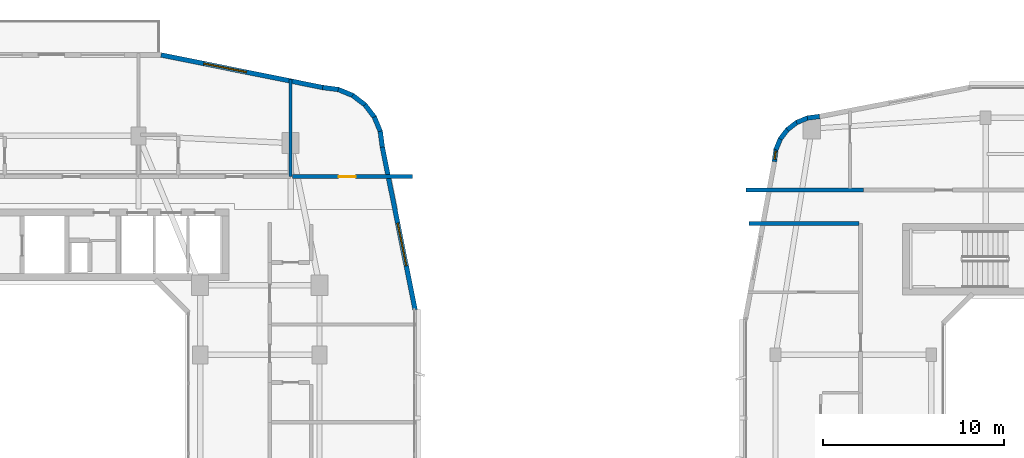
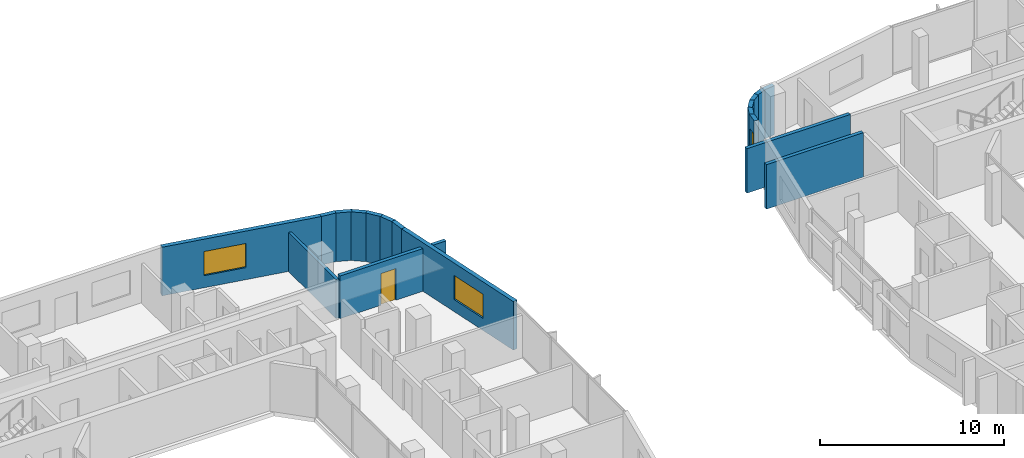
# One storey, part 16 of 26: 18 walls, 3 windows, 1 door, 4 openings.
"""IFC4 building model written with IfcOpenShell, lengths in metres."""

from ifc_helpers import new_model, si_unit, derived_unit, direction, frame, frame_2d, origin, place, context, subcontext, project, spatial, rectangle, extrude, material, layer, layer_set, type_object, element, fill, save


model = new_model("IFC4")

# Units and contexts
model_context = context("Model", 3, precision=1e-05, world=origin(), true_north=direction((0.0, 1.0)))
body_context = subcontext(model_context, "Body", "Model", "MODEL_VIEW")
ifc_project = project(units=[si_unit("LENGTHUNIT", "METRE"), si_unit("AREAUNIT", "SQUARE_METRE"), si_unit("VOLUMEUNIT", "CUBIC_METRE"), si_unit("PLANEANGLEUNIT", "RADIAN"), si_unit("MASSUNIT", "GRAM", prefix="KILO"), derived_unit("THERMALTRANSMITTANCEUNIT", [(si_unit("POWERUNIT", "WATT"), 1), (si_unit("LENGTHUNIT", "METRE"), -2), (si_unit("THERMODYNAMICTEMPERATUREUNIT", "KELVIN"), -1)])], contexts=[model_context])

# Site, building, storey
site_placement = place(None, origin())
site = spatial("IfcSite", under=ifc_project, at=site_placement, CompositionType="ELEMENT")
building_placement = place(site_placement, origin())
building = spatial("IfcBuilding", under=site, at=building_placement, Name="Kivonza Crest Hotel", CompositionType="ELEMENT")
storey_placement = place(building_placement, frame((0.0, 0.0, 95.0)))
storey = spatial("IfcBuildingStorey", under=building, at=storey_placement, Name="L25", CompositionType="ELEMENT", Elevation=95.0)

# Wall
ifc_material_1 = material(Name="High-density acoustic masonry inter-tenancy wall", Category="masonry")
ifc_layer_1 = layer(ifc_material_1, 0.179931640625)
ifc_layer_set_1 = layer_set([ifc_layer_1], Name="High-density acoustic masonry inter-tenancy wall")
wall_type_1 = type_object("IfcWallType", Name="WL-ACOU-180", PredefinedType="SOLIDWALL", material=ifc_layer_set_1)
wall_1_placement = place(storey_placement, frame((34.199951171875, 38.35009765625, 0.0), z_axis=(0.0, 0.0, 1.0), x_axis=(0.0, 1.0, 0.0)))
element("IfcWall", 1, at=wall_1_placement, inside=storey, type_object=wall_type_1, Name="L25 interior partition WA-L25-T1N-DIV4", PredefinedType="SOLIDWALL", context=body_context, shape_type="SweptSolid", body=[
    extrude(rectangle(XDim=5.350830078125, YDim=0.179931640625, at=frame_2d((2.67529296875, 0.0))), origin(), (0.0, 0.0, 1.0), 2.594970703125),
])

# Wall, opening, door
ifc_material_2 = material(Name="Autoclaved aerated concrete blockwork", Category="masonry")
ifc_layer_2 = layer(ifc_material_2, 0.219970703125)
ifc_layer_set_2 = layer_set([ifc_layer_2], Name="Autoclaved aerated concrete blockwork")
wall_type_2 = type_object("IfcWallType", Name="WL-ACOU-220", PredefinedType="SOLIDWALL", material=ifc_layer_set_2)
wall_2_placement = place(storey_placement, frame((34.300048828125, 38.35009765625, 0.0), z_axis=(0.0, 0.0, 1.0), x_axis=(1.0, 0.0, 0.0)))
wall_2 = element("IfcWall", 2, at=wall_2_placement, inside=storey, type_object=wall_type_2, Name="L25 interior partition WA-L25-N-AMEN-S", PredefinedType="SOLIDWALL", context=body_context, shape_type="SweptSolid", body=[
    extrude(rectangle(XDim=6.639892578125, YDim=0.219970703125, at=frame_2d((3.31982421875, 0.0))), origin(), (0.0, 0.0, 1.0), 2.8349609375),
])
opening_1_placement = place(wall_2_placement, frame((2.550048828125, 0.0, 0.0)))
opening_1 = element("IfcOpeningElement", 3, at=opening_1_placement, cuts=wall_2, Name="Opening DF-60S", PredefinedType="OPENING", context=body_context, shape_type="SweptSolid", body=[
    extrude(rectangle(XDim=0.949951171875, YDim=2.10009765625, at=frame_2d((0.47509765625, 1.050048828125))), frame((0.0, 0.1201171875, 0.0), z_axis=(0.0, -1.0, 0.0), x_axis=(1.0, 0.0, 0.0)), (0.0, 0.0, 1.0), 0.239990234375),
])
ifc_material_3 = material(Name="Hardwood timber oak", Category="wood")
door_type = type_object("IfcDoorType", Name="DR-FD60-950", OperationType="NOTDEFINED", PredefinedType="DOOR", material=ifc_material_3)
door_placement = place(opening_1_placement, origin())
door = element("IfcDoor", 4, at=door_placement, inside=storey, type_object=door_type, Name="L25 Private Fitness Gym Studio door", OperationType="SINGLE_SWING_LEFT", OverallHeight=2.10009765625, OverallWidth=0.949951171875, PredefinedType="DOOR", context=body_context, shape_type="SweptSolid", body=[
    extrude(rectangle(XDim=0.949951171875, YDim=2.10009765625, at=frame_2d((0.47509765625, 1.050048828125))), frame((0.0, 0.02490234375, 0.0), z_axis=(0.0, -1.0, 0.0), x_axis=(1.0, 0.0, 0.0)), (0.0, 0.0, 1.0), 0.050048828125),
])
fill(opening_1, door)

# Walls
wall_3_placement = place(storey_placement, frame((59.360107421875, 37.60009765625, 0.0), z_axis=(0.0, 0.0, 1.0), x_axis=(1.0, 0.0, 0.0)))
element("IfcWall", 5, at=wall_3_placement, inside=storey, type_object=wall_type_2, Name="L25 interior partition WA-L25-A01-LCORR", PredefinedType="SOLIDWALL", context=body_context, shape_type="SweptSolid", body=[
    extrude(rectangle(XDim=6.489990234375, YDim=0.219970703125, at=frame_2d((3.2451171875, 0.0))), origin(), (0.0, 0.0, 1.0), 2.945068359375),
])
wall_4_placement = place(storey_placement, frame((59.52001953125, 35.760009765625, 0.0), z_axis=(0.0, 0.0, 1.0), x_axis=(1.0, 0.0, 0.0)))
element("IfcWall", 6, at=wall_4_placement, inside=storey, type_object=wall_type_2, Name="L25 interior partition WA-L25-T2W-ENDN", PredefinedType="SOLIDWALL", context=body_context, shape_type="SweptSolid", body=[
    extrude(rectangle(XDim=6.080078125, YDim=0.219970703125, at=frame_2d((3.0400390625, 0.0))), origin(), (0.0, 0.0, 1.0), 2.945068359375),
])

# Wall, opening, window
ifc_material_4 = material(Name="Precast concrete C40/50", Category="concrete")
ifc_layer_3 = layer(ifc_material_4, 0.260009765625)
ifc_layer_set_3 = layer_set([ifc_layer_3], Name="Precast concrete C40/50")
wall_type_3 = type_object("IfcWallType", Name="WL-EXT-260", PredefinedType="STANDARD", material=ifc_layer_set_3)
wall_5_placement = place(storey_placement, frame((41.083984375, 30.97998046875, 0.0), z_axis=(0.0, 0.0, 1.0), x_axis=(-0.197435082048, 0.980315963543, 0.0)))
wall_5 = element("IfcWall", 7, at=wall_5_placement, inside=storey, type_object=wall_type_3, Name="L25 T1 exterior insulated wall 18", PredefinedType="STANDARD", context=body_context, shape_type="SweptSolid", body=[
    extrude(rectangle(XDim=9.1826171875, YDim=0.260009765625, at=frame_2d((4.59130859375, 0.0))), origin(), (0.0, 0.0, 1.0), 3.219970703125),
])
opening_2_placement = place(wall_5_placement, frame((2.4970703125, 0.0, 0.800048828125)))
opening_2 = element("IfcOpeningElement", 8, at=opening_2_placement, cuts=wall_5, Name="Opening WN-05", PredefinedType="OPENING", context=body_context, shape_type="SweptSolid", body=[
    extrude(rectangle(XDim=2.39990234375, YDim=1.60009765625, at=frame_2d((1.199951171875, 0.800048828125))), frame((0.0, 0.14013671875, 0.0), z_axis=(0.0, -1.0, 0.0), x_axis=(1.0, 0.0, 0.0)), (0.0, 0.0, 1.0), 0.280029296875),
])
ifc_material_5 = material(Name="Thermally broken bronze aluminium and low-E double glazing", Category="aluminium")
window_type_1 = type_object("IfcWindowType", Name="WN-240x160", PartitioningType="TRIPLE_PANEL_VERTICAL", PredefinedType="WINDOW", material=ifc_material_5)
window_1_placement = place(opening_2_placement, origin())
window_1 = element("IfcWindow", 9, at=window_1_placement, inside=storey, type_object=window_type_1, Name="L25 T1 facade window 18", OverallHeight=1.60009765625, OverallWidth=2.39990234375, PartitioningType="SINGLE_PANEL", PredefinedType="WINDOW", context=body_context, shape_type="SweptSolid", body=[
    extrude(rectangle(XDim=2.39990234375, YDim=1.60009765625, at=frame_2d((1.199951171875, 0.800048828125))), frame((0.0, 0.030029296875, 0.0), z_axis=(0.0, -1.0, 0.0), x_axis=(1.0, 0.0, 0.0)), (0.0, 0.0, 1.0), 0.06005859375),
])
fill(opening_2, window_1)

# Walls
wall_6_placement = place(storey_placement, frame((39.27197265625, 39.97509765625, 0.0), z_axis=(0.0, 0.0, 1.0), x_axis=(-0.130953706898, 0.991388484223, 0.0)))
element("IfcWall", 10, at=wall_6_placement, inside=storey, type_object=wall_type_3, Name="L25 T1 exterior insulated wall 19", PredefinedType="STANDARD", context=body_context, shape_type="SweptSolid", body=[
    extrude(rectangle(XDim=0.885498046875, YDim=0.260009765625, at=frame_2d((0.44287109375, 0.0))), origin(), (0.0, 0.0, 1.0), 3.219970703125),
])
wall_7_placement = place(storey_placement, frame((39.174072265625, 40.806884765625, 0.0), z_axis=(0.0, 0.0, 1.0), x_axis=(-0.383290660547, 0.923627776508, 0.0)))
element("IfcWall", 11, at=wall_7_placement, inside=storey, type_object=wall_type_3, Name="L25 T1 exterior insulated wall 20", PredefinedType="STANDARD", context=body_context, shape_type="SweptSolid", body=[
    extrude(rectangle(XDim=0.9033203125, YDim=0.260009765625, at=frame_2d((0.45166015625, 0.0))), origin(), (0.0, 0.0, 1.0), 3.219970703125),
])
wall_8_placement = place(storey_placement, frame((38.85595703125, 41.60107421875, 0.0), z_axis=(0.0, 0.0, 1.0), x_axis=(-0.608624690463, 0.793458244748, 0.0)))
element("IfcWall", 12, at=wall_8_placement, inside=storey, type_object=wall_type_3, Name="L25 T1 exterior insulated wall 21", PredefinedType="STANDARD", context=body_context, shape_type="SweptSolid", body=[
    extrude(rectangle(XDim=0.902099609375, YDim=0.260009765625, at=frame_2d((0.451171875, 0.0))), origin(), (0.0, 0.0, 1.0), 3.219970703125),
])
wall_9_placement = place(storey_placement, frame((38.344970703125, 42.285888671875, 0.0), z_axis=(0.0, 0.0, 1.0), x_axis=(-0.793558456666, 0.608494022858, 0.0)))
element("IfcWall", 13, at=wall_9_placement, inside=storey, type_object=wall_type_3, Name="L25 T1 exterior insulated wall 22", PredefinedType="STANDARD", context=body_context, shape_type="SweptSolid", body=[
    extrude(rectangle(XDim=0.90234375, YDim=0.260009765625, at=frame_2d((0.451171875, 0.0))), origin(), (0.0, 0.0, 1.0), 3.219970703125),
])
wall_10_placement = place(storey_placement, frame((37.673095703125, 42.81396484375, 0.0), z_axis=(0.0, 0.0, 1.0), x_axis=(-0.923683767999, 0.383155708213, 0.0)))
element("IfcWall", 14, at=wall_10_placement, inside=storey, type_object=wall_type_3, Name="L25 T1 exterior insulated wall 23", PredefinedType="STANDARD", context=body_context, shape_type="SweptSolid", body=[
    extrude(rectangle(XDim=0.90283203125, YDim=0.260009765625, at=frame_2d((0.451416015625, 0.0))), origin(), (0.0, 0.0, 1.0), 3.219970703125),
])
wall_11_placement = place(storey_placement, frame((36.887939453125, 43.152099609375, 0.0), z_axis=(0.0, 0.0, 1.0), x_axis=(-0.991487658083, 0.130200706103, 0.0)))
element("IfcWall", 15, at=wall_11_placement, inside=storey, type_object=wall_type_3, Name="L25 T1 exterior insulated wall 24", PredefinedType="STANDARD", context=body_context, shape_type="SweptSolid", body=[
    extrude(rectangle(XDim=0.920654296875, YDim=0.260009765625, at=frame_2d((0.46044921875, 0.0))), origin(), (0.0, 0.0, 1.0), 3.219970703125),
])

# Wall, opening, window
wall_12_placement = place(storey_placement, frame((35.98193359375, 43.27099609375, 0.0), z_axis=(0.0, 0.0, 1.0), x_axis=(-0.980317172899, 0.197429077186, 0.0)))
wall_12 = element("IfcWall", 16, at=wall_12_placement, inside=storey, type_object=wall_type_3, Name="L25 T1 exterior insulated wall 25", PredefinedType="STANDARD", context=body_context, shape_type="SweptSolid", body=[
    extrude(rectangle(XDim=9.117431640625, YDim=0.260009765625, at=frame_2d((4.55859375, 0.0))), origin(), (0.0, 0.0, 1.0), 3.219970703125),
])
opening_3_placement = place(wall_12_placement, frame((4.304931640625, 0.0, 0.800048828125)))
opening_3 = element("IfcOpeningElement", 17, at=opening_3_placement, cuts=wall_12, Name="Opening WN-05", PredefinedType="OPENING", context=body_context, shape_type="SweptSolid", body=[
    extrude(rectangle(XDim=2.39990234375, YDim=1.60009765625, at=frame_2d((1.199951171875, 0.800048828125))), frame((0.0, 0.14013671875, 0.0), z_axis=(0.0, -1.0, 0.0), x_axis=(1.0, 0.0, 0.0)), (0.0, 0.0, 1.0), 0.280029296875),
])
window_2_placement = place(opening_3_placement, origin())
window_2 = element("IfcWindow", 18, at=window_2_placement, inside=storey, type_object=window_type_1, Name="L25 T1 facade window 25", OverallHeight=1.60009765625, OverallWidth=2.39990234375, PartitioningType="SINGLE_PANEL", PredefinedType="WINDOW", context=body_context, shape_type="SweptSolid", body=[
    extrude(rectangle(XDim=2.39990234375, YDim=1.60009765625, at=frame_2d((1.199951171875, 0.800048828125))), frame((0.0, 0.030029296875, 0.0), z_axis=(0.0, -1.0, 0.0), x_axis=(1.0, 0.0, 0.0)), (0.0, 0.0, 1.0), 0.06005859375),
])
fill(opening_3, window_2)

# Walls
wall_13_placement = place(storey_placement, frame((63.425048828125, 41.672119140625, 0.0), z_axis=(0.0, 0.0, 1.0), x_axis=(-0.991300187529, -0.13162043232, 0.0)))
element("IfcWall", 19, at=wall_13_placement, inside=storey, type_object=wall_type_3, Name="L25 T2 exterior insulated wall 28", PredefinedType="STANDARD", context=body_context, shape_type="SweptSolid", body=[
    extrude(rectangle(XDim=0.677001953125, YDim=0.260009765625, at=frame_2d((0.33837890625, 0.0))), origin(), (0.0, 0.0, 1.0), 3.25),
])
for number, where, z_axis, x_axis, name in (
    (20, (62.800048828125, 41.60107421875, 0.0), (0.0, 0.0, 1.0), (-0.924093981904, -0.382165294877, 0.0), "L25 T2 exterior insulated wall 29"),
    (21, (62.198974609375, 41.364013671875, 0.0), (0.0, 0.0, 1.0), (-0.792637067512, -0.609693758543, 0.0), "L25 T2 exterior insulated wall 30"),
    (22, (61.679931640625, 40.97900390625, 0.0), (0.0, 0.0, 1.0), (-0.609472651958, -0.792807092876, 0.0), "L25 T2 exterior insulated wall 31"),
):
    element("IfcWall", number, at=place(storey_placement, frame(where, z_axis=z_axis, x_axis=x_axis)), inside=storey, type_object=wall_type_3, Name=name, PredefinedType="STANDARD", context=body_context, shape_type="SweptSolid", body=[
        extrude(rectangle(XDim=0.69384765625, YDim=0.260009765625, at=frame_2d((0.346923828125, 0.0))), origin(), (0.0, 0.0, 1.0), 3.25),
    ])
wall_14_placement = place(storey_placement, frame((61.278076171875, 40.472900390625, 0.0), z_axis=(0.0, 0.0, 1.0), x_axis=(-0.382289608286, -0.924042561464, 0.0)))
element("IfcWall", 23, at=wall_14_placement, inside=storey, type_object=wall_type_3, Name="L25 T2 exterior insulated wall 32", PredefinedType="STANDARD", context=body_context, shape_type="SweptSolid", body=[
    extrude(rectangle(XDim=0.693603515625, YDim=0.260009765625, at=frame_2d((0.3466796875, 0.0))), origin(), (0.0, 0.0, 1.0), 3.25),
])

# Wall, opening, window
wall_15_placement = place(storey_placement, frame((61.02099609375, 39.881103515625, 0.0), z_axis=(0.0, 0.0, 1.0), x_axis=(-0.130614135366, -0.991433279471, 0.0)))
wall_15 = element("IfcWall", 24, at=wall_15_placement, inside=storey, type_object=wall_type_3, Name="L25 T2 exterior insulated wall 33", PredefinedType="STANDARD", context=body_context, shape_type="SweptSolid", body=[
    extrude(rectangle(XDim=0.712158203125, YDim=0.260009765625, at=frame_2d((0.35595703125, 0.0))), origin(), (0.0, 0.0, 1.0), 3.25),
])
opening_4_placement = place(wall_15_placement, frame((0.131103515625, 0.0, 0.85009765625)))
opening_4 = element("IfcOpeningElement", 25, at=opening_4_placement, cuts=wall_15, Name="Opening WN-11", PredefinedType="OPENING", context=body_context, shape_type="SweptSolid", body=[
    extrude(rectangle(XDim=0.449951171875, YDim=1.5, at=frame_2d((0.22509765625, 0.75))), frame((0.0, 0.14013671875, 0.0), z_axis=(0.0, -1.0, 0.0), x_axis=(1.0, 0.0, 0.0)), (0.0, 0.0, 1.0), 0.280029296875),
])
window_type_2 = type_object("IfcWindowType", Name="WN-045x150", PartitioningType="SINGLE_PANEL", PredefinedType="WINDOW", material=ifc_material_5)
window_3_placement = place(opening_4_placement, origin())
window_3 = element("IfcWindow", 26, at=window_3_placement, inside=storey, type_object=window_type_2, Name="L25 corner vision window 3", OverallHeight=1.5, OverallWidth=0.449951171875, PartitioningType="SINGLE_PANEL", PredefinedType="WINDOW", context=body_context, shape_type="SweptSolid", body=[
    extrude(rectangle(XDim=0.449951171875, YDim=1.5, at=frame_2d((0.22509765625, 0.75))), frame((0.0, 0.030029296875, 0.0), z_axis=(0.0, -1.0, 0.0), x_axis=(1.0, 0.0, 0.0)), (0.0, 0.0, 1.0), 0.06005859375),
])
fill(opening_4, window_3)

save(model, "model.ifc")
